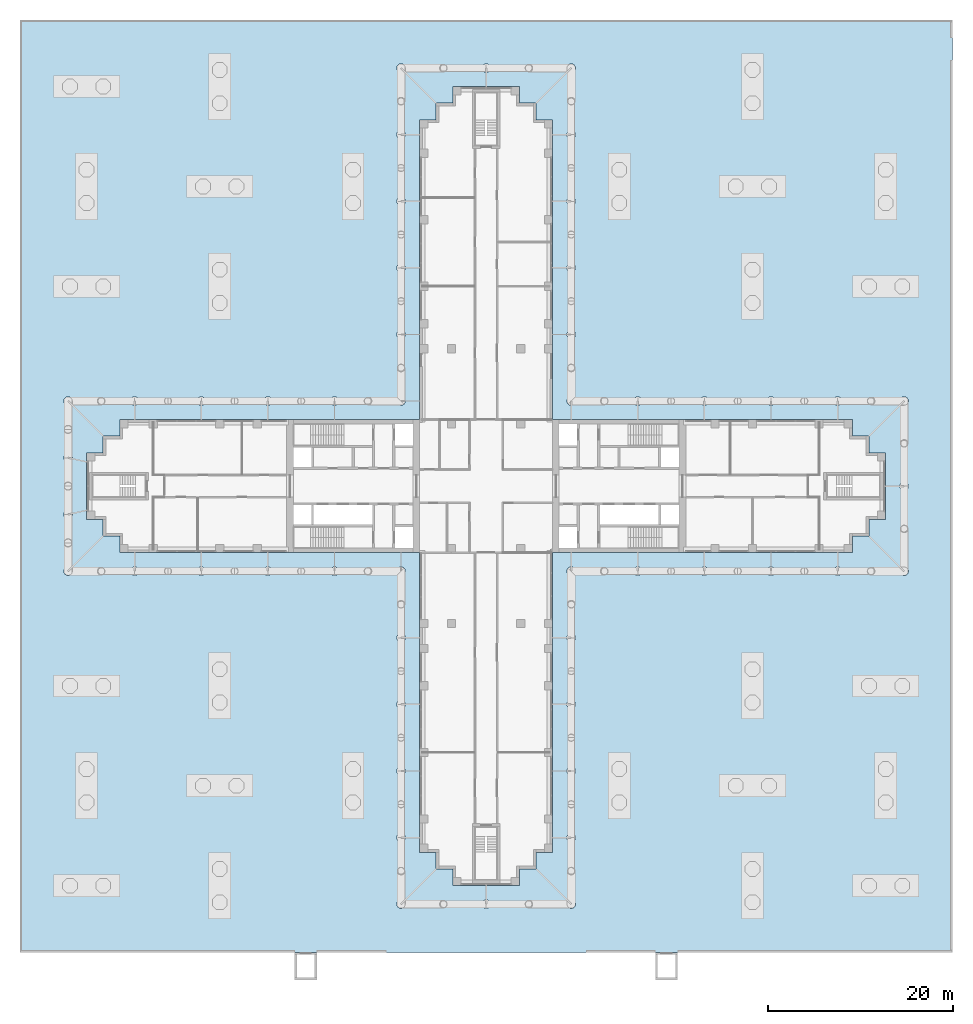
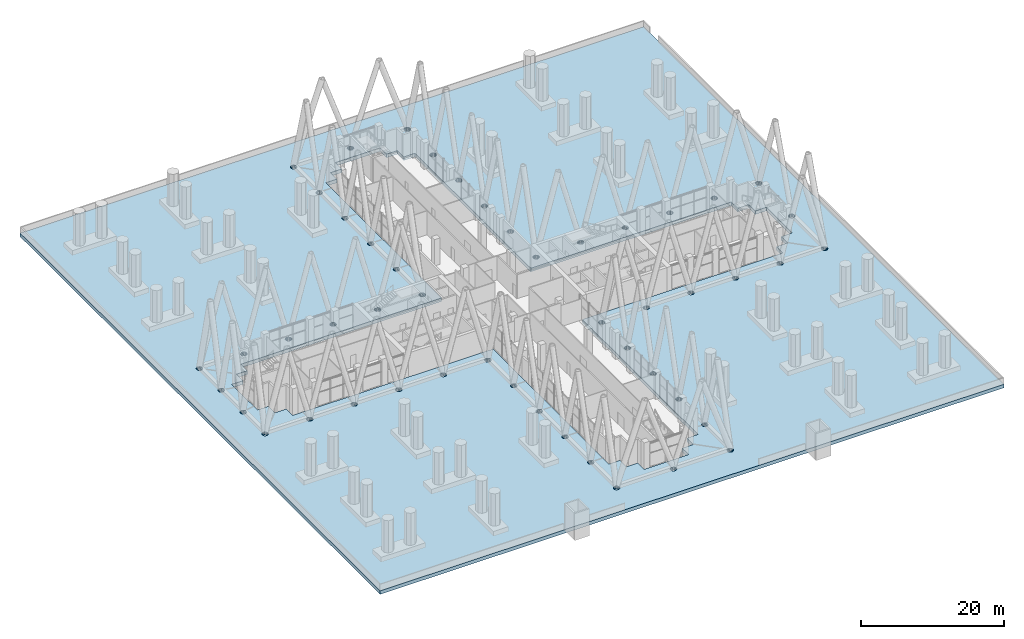
# One storey, part 15 of 31: 1 slab.
"""IFC4 building model written with IfcOpenShell, lengths in metres."""

from ifc_helpers import new_model, si_unit, direction, frame, origin, place, context, subcontext, project, spatial, polyline, outline, extrude, material, layer, layer_set, type_object, element, save


model = new_model("IFC4")

# Units and contexts
model_context = context("Model", 3, precision=1e-05, world=origin(), true_north=direction((0.0, 1.0)))
body_context = subcontext(model_context, "Body", "Model", "MODEL_VIEW")
ifc_project = project(units=[si_unit("LENGTHUNIT", "METRE"), si_unit("AREAUNIT", "SQUARE_METRE"), si_unit("VOLUMEUNIT", "CUBIC_METRE"), si_unit("PLANEANGLEUNIT", "RADIAN"), si_unit("MASSUNIT", "GRAM", prefix="KILO")], contexts=[model_context])

# Site, building, storey
site_placement = place(None, origin())
site = spatial("IfcSite", under=ifc_project, at=site_placement, CompositionType="ELEMENT")
building_placement = place(site_placement, origin())
building = spatial("IfcBuilding", under=site, at=building_placement, Name="Fustian Cross Tower", CompositionType="ELEMENT")
storey_placement = place(building_placement, frame((0.0, 0.0, 7.199951171875)))
storey = spatial("IfcBuildingStorey", under=building, at=storey_placement, Name="L01", CompositionType="ELEMENT", Elevation=7.199951171875)

# Slab
ifc_material = material(Name="Concrete C40/50", Category="concrete")
ifc_layer = layer(ifc_material, 0.60009765625)
ifc_layer_set = layer_set([ifc_layer], Name="Concrete C40/50")
slab_type = type_object("IfcSlabType", Name="GARDEN DECK SLAB 600", PredefinedType="FLOOR", material=ifc_layer_set)
slab_placement = place(storey_placement, frame((0.0, 0.0, -0.599853515625)))
element("IfcSlab", 1, at=slab_placement, inside=storey, type_object=slab_type, Name="Garden deck slab", PredefinedType="FLOOR", context=body_context, shape_type="SweptSolid", body=[
    extrude(outline(polyline([(-50.39990234375, 50.39990234375), (-50.39990234375, -50.39990234375), (50.39990234375, -50.39990234375), (50.39990234375, 50.39990234375), (-50.39990234375, 50.39990234375)]), holes=[polyline([(39.60009765625, -7.199951171875), (39.60009765625, -5.39990234375), (41.39990234375, -5.39990234375), (41.39990234375, -3.60009765625), (43.199951171875, -3.60009765625), (43.199951171875, 3.60009765625), (41.39990234375, 3.60009765625), (41.39990234375, 5.39990234375), (39.60009765625, 5.39990234375), (39.60009765625, 7.199951171875), (21.60009765625, 7.199951171875), (7.199951171875, 7.199951171875), (7.199951171875, 39.60009765625), (5.39990234375, 39.60009765625), (5.39990234375, 41.39990234375), (3.60009765625, 41.39990234375), (3.60009765625, 43.199951171875), (-3.60009765625, 43.199951171875), (-3.60009765625, 41.39990234375), (-5.39990234375, 41.39990234375), (-5.39990234375, 39.60009765625), (-7.199951171875, 39.60009765625), (-7.199951171875, 7.199951171875), (-21.60009765625, 7.199951171875), (-39.60009765625, 7.199951171875), (-39.60009765625, 5.39990234375), (-41.39990234375, 5.39990234375), (-41.39990234375, 3.60009765625), (-43.199951171875, 3.60009765625), (-43.199951171875, -3.60009765625), (-41.39990234375, -3.60009765625), (-41.39990234375, -5.39990234375), (-39.60009765625, -5.39990234375), (-39.60009765625, -7.199951171875), (-21.60009765625, -7.199951171875), (-7.199951171875, -7.199951171875), (-7.199951171875, -39.60009765625), (-5.39990234375, -39.60009765625), (-5.39990234375, -41.39990234375), (-3.60009765625, -41.39990234375), (-3.60009765625, -43.199951171875), (3.60009765625, -43.199951171875), (3.60009765625, -41.39990234375), (5.39990234375, -41.39990234375), (5.39990234375, -39.60009765625), (7.199951171875, -39.60009765625), (7.199951171875, -7.199951171875), (21.60009765625, -7.199951171875), (39.60009765625, -7.199951171875)]), polyline([(-9.199951171875, -31.26611328125), (-9.021728515625, -31.230712890625), (-8.870361328125, -31.129638671875), (-8.769287109375, -30.978271484375), (-8.73388671875, -30.800048828125), (-8.769287109375, -30.62158203125), (-8.870361328125, -30.470458984375), (-9.021728515625, -30.369384765625), (-9.199951171875, -30.333740234375), (-9.37841796875, -30.369384765625), (-9.529541015625, -30.470458984375), (-9.630615234375, -30.62158203125), (-9.666259765625, -30.800048828125), (-9.630615234375, -30.978271484375), (-9.529541015625, -31.129638671875), (-9.37841796875, -31.230712890625), (-9.199951171875, -31.26611328125)]), polyline([(-45.37841796875, -9.630615234375), (-45.199951171875, -9.666259765625), (-45.021728515625, -9.630615234375), (-44.870361328125, -9.529541015625), (-44.769287109375, -9.37841796875), (-44.73388671875, -9.199951171875), (-44.769287109375, -9.021728515625), (-44.870361328125, -8.870361328125), (-45.021728515625, -8.769287109375), (-45.199951171875, -8.73388671875), (-45.37841796875, -8.769287109375), (-45.529541015625, -8.870361328125), (-45.630615234375, -9.021728515625), (-45.666259765625, -9.199951171875), (-45.630615234375, -9.37841796875), (-45.529541015625, -9.529541015625), (-45.37841796875, -9.630615234375)]), polyline([(-16.578369140625, -9.630615234375), (-16.39990234375, -9.666259765625), (-16.2216796875, -9.630615234375), (-16.0703125, -9.529541015625), (-15.96923828125, -9.37841796875), (-15.933837890625, -9.199951171875), (-15.96923828125, -9.021728515625), (-16.0703125, -8.870361328125), (-16.2216796875, -8.769287109375), (-16.39990234375, -8.73388671875), (-16.578369140625, -8.769287109375), (-16.729736328125, -8.870361328125), (-16.83056640625, -9.021728515625), (-16.8662109375, -9.199951171875), (-16.83056640625, -9.37841796875), (-16.729736328125, -9.529541015625), (-16.578369140625, -9.630615234375)]), polyline([(-23.60009765625, -9.666259765625), (-23.421630859375, -9.630615234375), (-23.270263671875, -9.529541015625), (-23.16943359375, -9.37841796875), (-23.1337890625, -9.199951171875), (-23.16943359375, -9.021728515625), (-23.270263671875, -8.870361328125), (-23.421630859375, -8.769287109375), (-23.60009765625, -8.73388671875), (-23.7783203125, -8.769287109375), (-23.9296875, -8.870361328125), (-24.03076171875, -9.021728515625), (-24.066162109375, -9.199951171875), (-24.03076171875, -9.37841796875), (-23.9296875, -9.529541015625), (-23.7783203125, -9.630615234375), (-23.60009765625, -9.666259765625)]), polyline([(-30.978271484375, -9.630615234375), (-30.800048828125, -9.666259765625), (-30.62158203125, -9.630615234375), (-30.470458984375, -9.529541015625), (-30.369384765625, -9.37841796875), (-30.333740234375, -9.199951171875), (-30.369384765625, -9.021728515625), (-30.470458984375, -8.870361328125), (-30.62158203125, -8.769287109375), (-30.800048828125, -8.73388671875), (-30.978271484375, -8.769287109375), (-31.129638671875, -8.870361328125), (-31.230712890625, -9.021728515625), (-31.26611328125, -9.199951171875), (-31.230712890625, -9.37841796875), (-31.129638671875, -9.529541015625), (-30.978271484375, -9.630615234375)]), polyline([(-38.178466796875, -9.630615234375), (-38.0, -9.666259765625), (-37.821533203125, -9.630615234375), (-37.67041015625, -9.529541015625), (-37.5693359375, -9.37841796875), (-37.533935546875, -9.199951171875), (-37.5693359375, -9.021728515625), (-37.67041015625, -8.870361328125), (-37.821533203125, -8.769287109375), (-38.0, -8.73388671875), (-38.178466796875, -8.769287109375), (-38.32958984375, -8.870361328125), (-38.4306640625, -9.021728515625), (-38.466064453125, -9.199951171875), (-38.4306640625, -9.37841796875), (-38.32958984375, -9.529541015625), (-38.178466796875, -9.630615234375)]), polyline([(-45.199951171875, -3.53271484375), (-45.021728515625, -3.497314453125), (-44.870361328125, -3.396240234375), (-44.769287109375, -3.2451171875), (-44.73388671875, -3.066650390625), (-44.769287109375, -2.88818359375), (-44.870361328125, -2.737060546875), (-45.021728515625, -2.635986328125), (-45.199951171875, -2.6005859375), (-45.37841796875, -2.635986328125), (-45.529541015625, -2.737060546875), (-45.630615234375, -2.88818359375), (-45.666259765625, -3.066650390625), (-45.630615234375, -3.2451171875), (-45.529541015625, -3.396240234375), (-45.37841796875, -3.497314453125), (-45.199951171875, -3.53271484375)]), polyline([(-45.37841796875, 2.635986328125), (-45.199951171875, 2.6005859375), (-45.021728515625, 2.635986328125), (-44.870361328125, 2.737060546875), (-44.769287109375, 2.88818359375), (-44.73388671875, 3.066650390625), (-44.769287109375, 3.2451171875), (-44.870361328125, 3.396240234375), (-45.021728515625, 3.497314453125), (-45.199951171875, 3.53271484375), (-45.37841796875, 3.497314453125), (-45.529541015625, 3.396240234375), (-45.630615234375, 3.2451171875), (-45.666259765625, 3.066650390625), (-45.630615234375, 2.88818359375), (-45.529541015625, 2.737060546875), (-45.37841796875, 2.635986328125)]), polyline([(-38.178466796875, 8.769287109375), (-38.0, 8.73388671875), (-37.821533203125, 8.769287109375), (-37.67041015625, 8.870361328125), (-37.5693359375, 9.021728515625), (-37.533935546875, 9.199951171875), (-37.5693359375, 9.37841796875), (-37.67041015625, 9.529541015625), (-37.821533203125, 9.630615234375), (-38.0, 9.666259765625), (-38.178466796875, 9.630615234375), (-38.32958984375, 9.529541015625), (-38.4306640625, 9.37841796875), (-38.466064453125, 9.199951171875), (-38.4306640625, 9.021728515625), (-38.32958984375, 8.870361328125), (-38.178466796875, 8.769287109375)]), polyline([(-30.800048828125, 8.73388671875), (-30.62158203125, 8.769287109375), (-30.470458984375, 8.870361328125), (-30.369384765625, 9.021728515625), (-30.333740234375, 9.199951171875), (-30.369384765625, 9.37841796875), (-30.470458984375, 9.529541015625), (-30.62158203125, 9.630615234375), (-30.800048828125, 9.666259765625), (-30.978271484375, 9.630615234375), (-31.129638671875, 9.529541015625), (-31.230712890625, 9.37841796875), (-31.26611328125, 9.199951171875), (-31.230712890625, 9.021728515625), (-31.129638671875, 8.870361328125), (-30.978271484375, 8.769287109375), (-30.800048828125, 8.73388671875)]), polyline([(-23.7783203125, 8.769287109375), (-23.60009765625, 8.73388671875), (-23.421630859375, 8.769287109375), (-23.270263671875, 8.870361328125), (-23.16943359375, 9.021728515625), (-23.1337890625, 9.199951171875), (-23.16943359375, 9.37841796875), (-23.270263671875, 9.529541015625), (-23.421630859375, 9.630615234375), (-23.60009765625, 9.666259765625), (-23.7783203125, 9.630615234375), (-23.9296875, 9.529541015625), (-24.03076171875, 9.37841796875), (-24.066162109375, 9.199951171875), (-24.03076171875, 9.021728515625), (-23.9296875, 8.870361328125), (-23.7783203125, 8.769287109375)]), polyline([(-45.37841796875, 8.769287109375), (-45.199951171875, 8.73388671875), (-45.021728515625, 8.769287109375), (-44.870361328125, 8.870361328125), (-44.769287109375, 9.021728515625), (-44.73388671875, 9.199951171875), (-44.769287109375, 9.37841796875), (-44.870361328125, 9.529541015625), (-45.021728515625, 9.630615234375), (-45.199951171875, 9.666259765625), (-45.37841796875, 9.630615234375), (-45.529541015625, 9.529541015625), (-45.630615234375, 9.37841796875), (-45.666259765625, 9.199951171875), (-45.630615234375, 9.021728515625), (-45.529541015625, 8.870361328125), (-45.37841796875, 8.769287109375)]), polyline([(-16.39990234375, 8.73388671875), (-16.2216796875, 8.769287109375), (-16.0703125, 8.870361328125), (-15.96923828125, 9.021728515625), (-15.933837890625, 9.199951171875), (-15.96923828125, 9.37841796875), (-16.0703125, 9.529541015625), (-16.2216796875, 9.630615234375), (-16.39990234375, 9.666259765625), (-16.578369140625, 9.630615234375), (-16.729736328125, 9.529541015625), (-16.83056640625, 9.37841796875), (-16.8662109375, 9.199951171875), (-16.83056640625, 9.021728515625), (-16.729736328125, 8.870361328125), (-16.578369140625, 8.769287109375), (-16.39990234375, 8.73388671875)]), polyline([(-9.37841796875, 23.16943359375), (-9.199951171875, 23.1337890625), (-9.021728515625, 23.16943359375), (-8.870361328125, 23.270263671875), (-8.769287109375, 23.421630859375), (-8.73388671875, 23.60009765625), (-8.769287109375, 23.7783203125), (-8.870361328125, 23.9296875), (-9.021728515625, 24.03076171875), (-9.199951171875, 24.066162109375), (-9.37841796875, 24.03076171875), (-9.529541015625, 23.9296875), (-9.630615234375, 23.7783203125), (-9.666259765625, 23.60009765625), (-9.630615234375, 23.421630859375), (-9.529541015625, 23.270263671875), (-9.37841796875, 23.16943359375)]), polyline([(-9.37841796875, 30.369384765625), (-9.199951171875, 30.333740234375), (-9.021728515625, 30.369384765625), (-8.870361328125, 30.470458984375), (-8.769287109375, 30.62158203125), (-8.73388671875, 30.800048828125), (-8.769287109375, 30.978271484375), (-8.870361328125, 31.129638671875), (-9.021728515625, 31.230712890625), (-9.199951171875, 31.26611328125), (-9.37841796875, 31.230712890625), (-9.529541015625, 31.129638671875), (-9.630615234375, 30.978271484375), (-9.666259765625, 30.800048828125), (-9.630615234375, 30.62158203125), (-9.529541015625, 30.470458984375), (-9.37841796875, 30.369384765625)]), polyline([(-9.199951171875, 37.533935546875), (-9.021728515625, 37.5693359375), (-8.870361328125, 37.67041015625), (-8.769287109375, 37.821533203125), (-8.73388671875, 38.0), (-8.769287109375, 38.178466796875), (-8.870361328125, 38.32958984375), (-9.021728515625, 38.4306640625), (-9.199951171875, 38.466064453125), (-9.37841796875, 38.4306640625), (-9.529541015625, 38.32958984375), (-9.630615234375, 38.178466796875), (-9.666259765625, 38.0), (-9.630615234375, 37.821533203125), (-9.529541015625, 37.67041015625), (-9.37841796875, 37.5693359375), (-9.199951171875, 37.533935546875)]), polyline([(-9.37841796875, 44.769287109375), (-9.199951171875, 44.73388671875), (-9.021728515625, 44.769287109375), (-8.870361328125, 44.870361328125), (-8.769287109375, 45.021728515625), (-8.73388671875, 45.199951171875), (-8.769287109375, 45.37841796875), (-8.870361328125, 45.529541015625), (-9.021728515625, 45.630615234375), (-9.199951171875, 45.666259765625), (-9.37841796875, 45.630615234375), (-9.529541015625, 45.529541015625), (-9.630615234375, 45.37841796875), (-9.666259765625, 45.199951171875), (-9.630615234375, 45.021728515625), (-9.529541015625, 44.870361328125), (-9.37841796875, 44.769287109375)]), polyline([(-9.37841796875, -45.630615234375), (-9.199951171875, -45.666259765625), (-9.021728515625, -45.630615234375), (-8.870361328125, -45.529541015625), (-8.769287109375, -45.37841796875), (-8.73388671875, -45.199951171875), (-8.769287109375, -45.021728515625), (-8.870361328125, -44.870361328125), (-9.021728515625, -44.769287109375), (-9.199951171875, -44.73388671875), (-9.37841796875, -44.769287109375), (-9.529541015625, -44.870361328125), (-9.630615234375, -45.021728515625), (-9.666259765625, -45.199951171875), (-9.630615234375, -45.37841796875), (-9.529541015625, -45.529541015625), (-9.37841796875, -45.630615234375)]), polyline([(0.0, -45.666259765625), (0.178466796875, -45.630615234375), (0.32958984375, -45.529541015625), (0.4306640625, -45.37841796875), (0.466064453125, -45.199951171875), (0.4306640625, -45.021728515625), (0.32958984375, -44.870361328125), (0.178466796875, -44.769287109375), (0.0, -44.73388671875), (-0.178466796875, -44.769287109375), (-0.32958984375, -44.870361328125), (-0.4306640625, -45.021728515625), (-0.466064453125, -45.199951171875), (-0.4306640625, -45.37841796875), (-0.32958984375, -45.529541015625), (-0.178466796875, -45.630615234375), (0.0, -45.666259765625)]), polyline([(9.021728515625, -45.630615234375), (9.199951171875, -45.666259765625), (9.37841796875, -45.630615234375), (9.529541015625, -45.529541015625), (9.630615234375, -45.37841796875), (9.666259765625, -45.199951171875), (9.630615234375, -45.021728515625), (9.529541015625, -44.870361328125), (9.37841796875, -44.769287109375), (9.199951171875, -44.73388671875), (9.021728515625, -44.769287109375), (8.870361328125, -44.870361328125), (8.769287109375, -45.021728515625), (8.73388671875, -45.199951171875), (8.769287109375, -45.37841796875), (8.870361328125, -45.529541015625), (9.021728515625, -45.630615234375)]), polyline([(-9.37841796875, -38.4306640625), (-9.199951171875, -38.466064453125), (-9.021728515625, -38.4306640625), (-8.870361328125, -38.32958984375), (-8.769287109375, -38.178466796875), (-8.73388671875, -38.0), (-8.769287109375, -37.821533203125), (-8.870361328125, -37.67041015625), (-9.021728515625, -37.5693359375), (-9.199951171875, -37.533935546875), (-9.37841796875, -37.5693359375), (-9.529541015625, -37.67041015625), (-9.630615234375, -37.821533203125), (-9.666259765625, -38.0), (-9.630615234375, -38.178466796875), (-9.529541015625, -38.32958984375), (-9.37841796875, -38.4306640625)]), polyline([(-9.199951171875, -24.066162109375), (-9.021728515625, -24.03076171875), (-8.870361328125, -23.9296875), (-8.769287109375, -23.7783203125), (-8.73388671875, -23.60009765625), (-8.769287109375, -23.421630859375), (-8.870361328125, -23.270263671875), (-9.021728515625, -23.16943359375), (-9.199951171875, -23.1337890625), (-9.37841796875, -23.16943359375), (-9.529541015625, -23.270263671875), (-9.630615234375, -23.421630859375), (-9.666259765625, -23.60009765625), (-9.630615234375, -23.7783203125), (-9.529541015625, -23.9296875), (-9.37841796875, -24.03076171875), (-9.199951171875, -24.066162109375)]), polyline([(9.021728515625, -16.83056640625), (9.199951171875, -16.8662109375), (9.37841796875, -16.83056640625), (9.529541015625, -16.729736328125), (9.630615234375, -16.578369140625), (9.666259765625, -16.39990234375), (9.630615234375, -16.2216796875), (9.529541015625, -16.0703125), (9.37841796875, -15.96923828125), (9.199951171875, -15.933837890625), (9.021728515625, -15.96923828125), (8.870361328125, -16.0703125), (8.769287109375, -16.2216796875), (8.73388671875, -16.39990234375), (8.769287109375, -16.578369140625), (8.870361328125, -16.729736328125), (9.021728515625, -16.83056640625)]), polyline([(-9.37841796875, -16.83056640625), (-9.199951171875, -16.8662109375), (-9.021728515625, -16.83056640625), (-8.870361328125, -16.729736328125), (-8.769287109375, -16.578369140625), (-8.73388671875, -16.39990234375), (-8.769287109375, -16.2216796875), (-8.870361328125, -16.0703125), (-9.021728515625, -15.96923828125), (-9.199951171875, -15.933837890625), (-9.37841796875, -15.96923828125), (-9.529541015625, -16.0703125), (-9.630615234375, -16.2216796875), (-9.666259765625, -16.39990234375), (-9.630615234375, -16.578369140625), (-9.529541015625, -16.729736328125), (-9.37841796875, -16.83056640625)]), polyline([(-9.199951171875, -9.666259765625), (-9.021728515625, -9.630615234375), (-8.870361328125, -9.529541015625), (-8.769287109375, -9.37841796875), (-8.73388671875, -9.199951171875), (-8.769287109375, -9.021728515625), (-8.870361328125, -8.870361328125), (-9.021728515625, -8.769287109375), (-9.199951171875, -8.73388671875), (-9.37841796875, -8.769287109375), (-9.529541015625, -8.870361328125), (-9.630615234375, -9.021728515625), (-9.666259765625, -9.199951171875), (-9.630615234375, -9.37841796875), (-9.529541015625, -9.529541015625), (-9.37841796875, -9.630615234375), (-9.199951171875, -9.666259765625)]), polyline([(9.021728515625, -9.630615234375), (9.199951171875, -9.666259765625), (9.37841796875, -9.630615234375), (9.529541015625, -9.529541015625), (9.630615234375, -9.37841796875), (9.666259765625, -9.199951171875), (9.630615234375, -9.021728515625), (9.529541015625, -8.870361328125), (9.37841796875, -8.769287109375), (9.199951171875, -8.73388671875), (9.021728515625, -8.769287109375), (8.870361328125, -8.870361328125), (8.769287109375, -9.021728515625), (8.73388671875, -9.199951171875), (8.769287109375, -9.37841796875), (8.870361328125, -9.529541015625), (9.021728515625, -9.630615234375)]), polyline([(-9.37841796875, 8.769287109375), (-9.199951171875, 8.73388671875), (-9.021728515625, 8.769287109375), (-8.870361328125, 8.870361328125), (-8.769287109375, 9.021728515625), (-8.73388671875, 9.199951171875), (-8.769287109375, 9.37841796875), (-8.870361328125, 9.529541015625), (-9.021728515625, 9.630615234375), (-9.199951171875, 9.666259765625), (-9.37841796875, 9.630615234375), (-9.529541015625, 9.529541015625), (-9.630615234375, 9.37841796875), (-9.666259765625, 9.199951171875), (-9.630615234375, 9.021728515625), (-9.529541015625, 8.870361328125), (-9.37841796875, 8.769287109375)]), polyline([(9.199951171875, 15.933837890625), (9.37841796875, 15.96923828125), (9.529541015625, 16.0703125), (9.630615234375, 16.2216796875), (9.666259765625, 16.39990234375), (9.630615234375, 16.578369140625), (9.529541015625, 16.729736328125), (9.37841796875, 16.83056640625), (9.199951171875, 16.8662109375), (9.021728515625, 16.83056640625), (8.870361328125, 16.729736328125), (8.769287109375, 16.578369140625), (8.73388671875, 16.39990234375), (8.769287109375, 16.2216796875), (8.870361328125, 16.0703125), (9.021728515625, 15.96923828125), (9.199951171875, 15.933837890625)]), polyline([(-9.37841796875, 15.96923828125), (-9.199951171875, 15.933837890625), (-9.021728515625, 15.96923828125), (-8.870361328125, 16.0703125), (-8.769287109375, 16.2216796875), (-8.73388671875, 16.39990234375), (-8.769287109375, 16.578369140625), (-8.870361328125, 16.729736328125), (-9.021728515625, 16.83056640625), (-9.199951171875, 16.8662109375), (-9.37841796875, 16.83056640625), (-9.529541015625, 16.729736328125), (-9.630615234375, 16.578369140625), (-9.666259765625, 16.39990234375), (-9.630615234375, 16.2216796875), (-9.529541015625, 16.0703125), (-9.37841796875, 15.96923828125)]), polyline([(9.021728515625, 23.16943359375), (9.199951171875, 23.1337890625), (9.37841796875, 23.16943359375), (9.529541015625, 23.270263671875), (9.630615234375, 23.421630859375), (9.666259765625, 23.60009765625), (9.630615234375, 23.7783203125), (9.529541015625, 23.9296875), (9.37841796875, 24.03076171875), (9.199951171875, 24.066162109375), (9.021728515625, 24.03076171875), (8.870361328125, 23.9296875), (8.769287109375, 23.7783203125), (8.73388671875, 23.60009765625), (8.769287109375, 23.421630859375), (8.870361328125, 23.270263671875), (9.021728515625, 23.16943359375)]), polyline([(9.199951171875, 30.333740234375), (9.37841796875, 30.369384765625), (9.529541015625, 30.470458984375), (9.630615234375, 30.62158203125), (9.666259765625, 30.800048828125), (9.630615234375, 30.978271484375), (9.529541015625, 31.129638671875), (9.37841796875, 31.230712890625), (9.199951171875, 31.26611328125), (9.021728515625, 31.230712890625), (8.870361328125, 31.129638671875), (8.769287109375, 30.978271484375), (8.73388671875, 30.800048828125), (8.769287109375, 30.62158203125), (8.870361328125, 30.470458984375), (9.021728515625, 30.369384765625), (9.199951171875, 30.333740234375)]), polyline([(9.021728515625, 37.5693359375), (9.199951171875, 37.533935546875), (9.37841796875, 37.5693359375), (9.529541015625, 37.67041015625), (9.630615234375, 37.821533203125), (9.666259765625, 38.0), (9.630615234375, 38.178466796875), (9.529541015625, 38.32958984375), (9.37841796875, 38.4306640625), (9.199951171875, 38.466064453125), (9.021728515625, 38.4306640625), (8.870361328125, 38.32958984375), (8.769287109375, 38.178466796875), (8.73388671875, 38.0), (8.769287109375, 37.821533203125), (8.870361328125, 37.67041015625), (9.021728515625, 37.5693359375)]), polyline([(9.021728515625, 44.769287109375), (9.199951171875, 44.73388671875), (9.37841796875, 44.769287109375), (9.529541015625, 44.870361328125), (9.630615234375, 45.021728515625), (9.666259765625, 45.199951171875), (9.630615234375, 45.37841796875), (9.529541015625, 45.529541015625), (9.37841796875, 45.630615234375), (9.199951171875, 45.666259765625), (9.021728515625, 45.630615234375), (8.870361328125, 45.529541015625), (8.769287109375, 45.37841796875), (8.73388671875, 45.199951171875), (8.769287109375, 45.021728515625), (8.870361328125, 44.870361328125), (9.021728515625, 44.769287109375)]), polyline([(0.0, 44.73388671875), (0.178466796875, 44.769287109375), (0.32958984375, 44.870361328125), (0.4306640625, 45.021728515625), (0.466064453125, 45.199951171875), (0.4306640625, 45.37841796875), (0.32958984375, 45.529541015625), (0.178466796875, 45.630615234375), (0.0, 45.666259765625), (-0.178466796875, 45.630615234375), (-0.32958984375, 45.529541015625), (-0.4306640625, 45.37841796875), (-0.466064453125, 45.199951171875), (-0.4306640625, 45.021728515625), (-0.32958984375, 44.870361328125), (-0.178466796875, 44.769287109375), (0.0, 44.73388671875)]), polyline([(9.021728515625, -38.4306640625), (9.199951171875, -38.466064453125), (9.37841796875, -38.4306640625), (9.529541015625, -38.32958984375), (9.630615234375, -38.178466796875), (9.666259765625, -38.0), (9.630615234375, -37.821533203125), (9.529541015625, -37.67041015625), (9.37841796875, -37.5693359375), (9.199951171875, -37.533935546875), (9.021728515625, -37.5693359375), (8.870361328125, -37.67041015625), (8.769287109375, -37.821533203125), (8.73388671875, -38.0), (8.769287109375, -38.178466796875), (8.870361328125, -38.32958984375), (9.021728515625, -38.4306640625)]), polyline([(9.021728515625, -31.230712890625), (9.199951171875, -31.26611328125), (9.37841796875, -31.230712890625), (9.529541015625, -31.129638671875), (9.630615234375, -30.978271484375), (9.666259765625, -30.800048828125), (9.630615234375, -30.62158203125), (9.529541015625, -30.470458984375), (9.37841796875, -30.369384765625), (9.199951171875, -30.333740234375), (9.021728515625, -30.369384765625), (8.870361328125, -30.470458984375), (8.769287109375, -30.62158203125), (8.73388671875, -30.800048828125), (8.769287109375, -30.978271484375), (8.870361328125, -31.129638671875), (9.021728515625, -31.230712890625)]), polyline([(9.199951171875, -24.066162109375), (9.37841796875, -24.03076171875), (9.529541015625, -23.9296875), (9.630615234375, -23.7783203125), (9.666259765625, -23.60009765625), (9.630615234375, -23.421630859375), (9.529541015625, -23.270263671875), (9.37841796875, -23.16943359375), (9.199951171875, -23.1337890625), (9.021728515625, -23.16943359375), (8.870361328125, -23.270263671875), (8.769287109375, -23.421630859375), (8.73388671875, -23.60009765625), (8.769287109375, -23.7783203125), (8.870361328125, -23.9296875), (9.021728515625, -24.03076171875), (9.199951171875, -24.066162109375)]), polyline([(16.2216796875, -9.630615234375), (16.39990234375, -9.666259765625), (16.578369140625, -9.630615234375), (16.729736328125, -9.529541015625), (16.83056640625, -9.37841796875), (16.8662109375, -9.199951171875), (16.83056640625, -9.021728515625), (16.729736328125, -8.870361328125), (16.578369140625, -8.769287109375), (16.39990234375, -8.73388671875), (16.2216796875, -8.769287109375), (16.0703125, -8.870361328125), (15.96923828125, -9.021728515625), (15.933837890625, -9.199951171875), (15.96923828125, -9.37841796875), (16.0703125, -9.529541015625), (16.2216796875, -9.630615234375)]), polyline([(23.421630859375, -9.630615234375), (23.60009765625, -9.666259765625), (23.7783203125, -9.630615234375), (23.9296875, -9.529541015625), (24.03076171875, -9.37841796875), (24.066162109375, -9.199951171875), (24.03076171875, -9.021728515625), (23.9296875, -8.870361328125), (23.7783203125, -8.769287109375), (23.60009765625, -8.73388671875), (23.421630859375, -8.769287109375), (23.270263671875, -8.870361328125), (23.16943359375, -9.021728515625), (23.1337890625, -9.199951171875), (23.16943359375, -9.37841796875), (23.270263671875, -9.529541015625), (23.421630859375, -9.630615234375)]), polyline([(30.800048828125, -9.666259765625), (30.978271484375, -9.630615234375), (31.129638671875, -9.529541015625), (31.230712890625, -9.37841796875), (31.26611328125, -9.199951171875), (31.230712890625, -9.021728515625), (31.129638671875, -8.870361328125), (30.978271484375, -8.769287109375), (30.800048828125, -8.73388671875), (30.62158203125, -8.769287109375), (30.470458984375, -8.870361328125), (30.369384765625, -9.021728515625), (30.333740234375, -9.199951171875), (30.369384765625, -9.37841796875), (30.470458984375, -9.529541015625), (30.62158203125, -9.630615234375), (30.800048828125, -9.666259765625)]), polyline([(37.821533203125, -9.630615234375), (38.0, -9.666259765625), (38.178466796875, -9.630615234375), (38.32958984375, -9.529541015625), (38.4306640625, -9.37841796875), (38.466064453125, -9.199951171875), (38.4306640625, -9.021728515625), (38.32958984375, -8.870361328125), (38.178466796875, -8.769287109375), (38.0, -8.73388671875), (37.821533203125, -8.769287109375), (37.67041015625, -8.870361328125), (37.5693359375, -9.021728515625), (37.533935546875, -9.199951171875), (37.5693359375, -9.37841796875), (37.67041015625, -9.529541015625), (37.821533203125, -9.630615234375)]), polyline([(45.021728515625, -9.630615234375), (45.199951171875, -9.666259765625), (45.37841796875, -9.630615234375), (45.529541015625, -9.529541015625), (45.630615234375, -9.37841796875), (45.666259765625, -9.199951171875), (45.630615234375, -9.021728515625), (45.529541015625, -8.870361328125), (45.37841796875, -8.769287109375), (45.199951171875, -8.73388671875), (45.021728515625, -8.769287109375), (44.870361328125, -8.870361328125), (44.769287109375, -9.021728515625), (44.73388671875, -9.199951171875), (44.769287109375, -9.37841796875), (44.870361328125, -9.529541015625), (45.021728515625, -9.630615234375)]), polyline([(45.199951171875, -0.466064453125), (45.37841796875, -0.4306640625), (45.529541015625, -0.32958984375), (45.630615234375, -0.178466796875), (45.666259765625, 0.0), (45.630615234375, 0.178466796875), (45.529541015625, 0.32958984375), (45.37841796875, 0.4306640625), (45.199951171875, 0.466064453125), (45.021728515625, 0.4306640625), (44.870361328125, 0.32958984375), (44.769287109375, 0.178466796875), (44.73388671875, 0.0), (44.769287109375, -0.178466796875), (44.870361328125, -0.32958984375), (45.021728515625, -0.4306640625), (45.199951171875, -0.466064453125)]), polyline([(9.021728515625, 8.769287109375), (9.199951171875, 8.73388671875), (9.37841796875, 8.769287109375), (9.529541015625, 8.870361328125), (9.630615234375, 9.021728515625), (9.666259765625, 9.199951171875), (9.630615234375, 9.37841796875), (9.529541015625, 9.529541015625), (9.37841796875, 9.630615234375), (9.199951171875, 9.666259765625), (9.021728515625, 9.630615234375), (8.870361328125, 9.529541015625), (8.769287109375, 9.37841796875), (8.73388671875, 9.199951171875), (8.769287109375, 9.021728515625), (8.870361328125, 8.870361328125), (9.021728515625, 8.769287109375)]), polyline([(16.2216796875, 8.769287109375), (16.39990234375, 8.73388671875), (16.578369140625, 8.769287109375), (16.729736328125, 8.870361328125), (16.83056640625, 9.021728515625), (16.8662109375, 9.199951171875), (16.83056640625, 9.37841796875), (16.729736328125, 9.529541015625), (16.578369140625, 9.630615234375), (16.39990234375, 9.666259765625), (16.2216796875, 9.630615234375), (16.0703125, 9.529541015625), (15.96923828125, 9.37841796875), (15.933837890625, 9.199951171875), (15.96923828125, 9.021728515625), (16.0703125, 8.870361328125), (16.2216796875, 8.769287109375)]), polyline([(23.421630859375, 8.769287109375), (23.60009765625, 8.73388671875), (23.7783203125, 8.769287109375), (23.9296875, 8.870361328125), (24.03076171875, 9.021728515625), (24.066162109375, 9.199951171875), (24.03076171875, 9.37841796875), (23.9296875, 9.529541015625), (23.7783203125, 9.630615234375), (23.60009765625, 9.666259765625), (23.421630859375, 9.630615234375), (23.270263671875, 9.529541015625), (23.16943359375, 9.37841796875), (23.1337890625, 9.199951171875), (23.16943359375, 9.021728515625), (23.270263671875, 8.870361328125), (23.421630859375, 8.769287109375)]), polyline([(30.62158203125, 8.769287109375), (30.800048828125, 8.73388671875), (30.978271484375, 8.769287109375), (31.129638671875, 8.870361328125), (31.230712890625, 9.021728515625), (31.26611328125, 9.199951171875), (31.230712890625, 9.37841796875), (31.129638671875, 9.529541015625), (30.978271484375, 9.630615234375), (30.800048828125, 9.666259765625), (30.62158203125, 9.630615234375), (30.470458984375, 9.529541015625), (30.369384765625, 9.37841796875), (30.333740234375, 9.199951171875), (30.369384765625, 9.021728515625), (30.470458984375, 8.870361328125), (30.62158203125, 8.769287109375)]), polyline([(37.821533203125, 8.769287109375), (38.0, 8.73388671875), (38.178466796875, 8.769287109375), (38.32958984375, 8.870361328125), (38.4306640625, 9.021728515625), (38.466064453125, 9.199951171875), (38.4306640625, 9.37841796875), (38.32958984375, 9.529541015625), (38.178466796875, 9.630615234375), (38.0, 9.666259765625), (37.821533203125, 9.630615234375), (37.67041015625, 9.529541015625), (37.5693359375, 9.37841796875), (37.533935546875, 9.199951171875), (37.5693359375, 9.021728515625), (37.67041015625, 8.870361328125), (37.821533203125, 8.769287109375)]), polyline([(45.021728515625, 8.769287109375), (45.199951171875, 8.73388671875), (45.37841796875, 8.769287109375), (45.529541015625, 8.870361328125), (45.630615234375, 9.021728515625), (45.666259765625, 9.199951171875), (45.630615234375, 9.37841796875), (45.529541015625, 9.529541015625), (45.37841796875, 9.630615234375), (45.199951171875, 9.666259765625), (45.021728515625, 9.630615234375), (44.870361328125, 9.529541015625), (44.769287109375, 9.37841796875), (44.73388671875, 9.199951171875), (44.769287109375, 9.021728515625), (44.870361328125, 8.870361328125), (45.021728515625, 8.769287109375)])]), origin(), (0.0, 0.0, 1.0), 0.599853515625),
])

save(model, "model.ifc")
